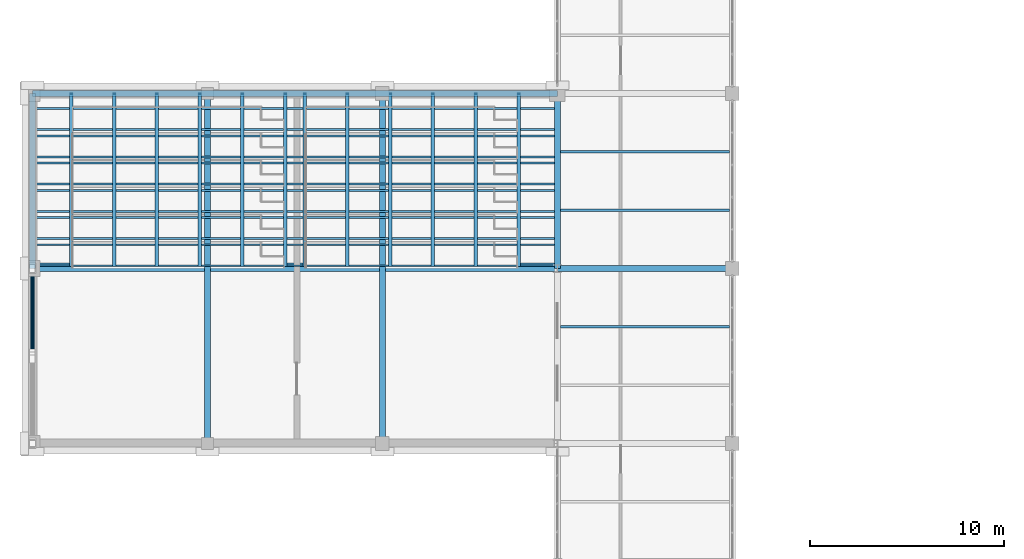
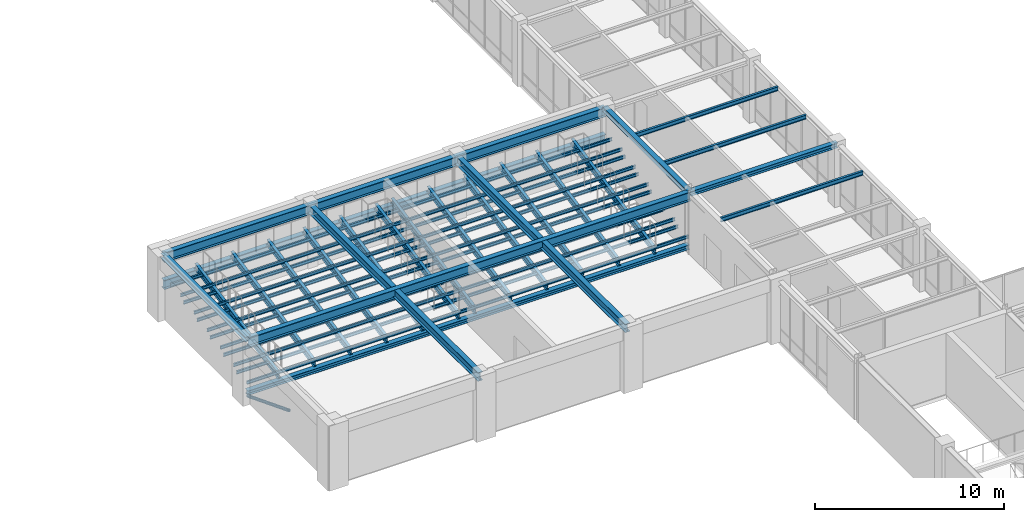
# One storey, part 26 of 130: 36 beams, 1 member.
"""IFC4 building model written with IfcOpenShell, lengths in metres."""

import ifcopenshell
import ifcopenshell.guid

model = None  # the IFC model being written
_history = None  # IfcOwnerHistory: only IFC2X3 demands one
_inside = {}  # id of a spatial element -> (the spatial element, [elements in it])
_under = {}  # id of a project, library or spatial element -> (it, [spatial elements below it])
_declared = {}  # id of a project -> (the project, [libraries it declares])
_typed = {}  # id of a type object -> (the type object, [elements of that type])
_made_of = {}  # id of a material, layer set ... -> (it, [elements and type objects made of it])


def new_model(schema):
    """Start an empty IFC model of exactly this schema.

    Asked for "IFC4X3", IfcOpenShell would pick the latest addendum, in which some entities
    have other attributes; the version numbers below select the first issue.
    IFC2X3 requires an IfcOwnerHistory on every rooted entity: one is made here for all.
    """
    global model, _history
    if schema == "IFC4X3":
        model = ifcopenshell.file(schema_version=(4, 3, 0, 0))
    else:
        model = ifcopenshell.file(schema=schema)
    _inside.clear()
    _under.clear()
    _declared.clear()
    _typed.clear()
    _made_of.clear()
    _history = None
    if model.schema == "IFC2X3":
        org = make("IfcOrganization", Name="unknown")
        user = make(
            "IfcPersonAndOrganization",
            ThePerson=make("IfcPerson", FamilyName="unknown"),
            TheOrganization=org,
        )
        app = make(
            "IfcApplication",
            ApplicationDeveloper=org,
            Version="unknown",
            ApplicationFullName="unknown",
            ApplicationIdentifier="unknown",
        )
        _history = make(
            "IfcOwnerHistory",
            OwningUser=user,
            OwningApplication=app,
            ChangeAction="ADDED",
            CreationDate=0,
        )
    return model


def make(cls, **values):
    """One entity of the class cls with the attributes given. An attribute that is None is left unset."""
    return model.create_entity(
        cls, **{name: value for name, value in values.items() if value is not None}
    )


def rooted(cls, **values):
    """An entity with a GlobalId (a new one), such as an element, a storey or a relation."""
    return make(cls, GlobalId=ifcopenshell.guid.new(), OwnerHistory=_history, **values)


def si_unit(unit_type, name, prefix=None):
    """IfcSIUnit, for example si_unit("LENGTHUNIT", "METRE", prefix="MILLI")."""
    return make("IfcSIUnit", UnitType=unit_type, Prefix=prefix, Name=name)


def assignment(units):
    """IfcUnitAssignment: the units of a project."""
    return None if units is None else make("IfcUnitAssignment", Units=units)


def point(xyz):
    """IfcCartesianPoint."""
    return None if xyz is None else make("IfcCartesianPoint", Coordinates=xyz)


def direction(xyz):
    """IfcDirection."""
    return None if xyz is None else make("IfcDirection", DirectionRatios=xyz)


def frame(location, z_axis=None, x_axis=None):
    """IfcAxis2Placement3D, a coordinate frame: its origin and axes. An axis left out is left unset."""
    return make(
        "IfcAxis2Placement3D",
        Location=point(location),
        Axis=direction(z_axis),
        RefDirection=direction(x_axis),
    )


def frame_2d(location, x_axis=None):
    """IfcAxis2Placement2D, a coordinate frame in the plane: its origin and x axis."""
    return make(
        "IfcAxis2Placement2D", Location=point(location), RefDirection=direction(x_axis)
    )


def origin():
    """The frame at (0, 0, 0) with its axes left unset."""
    return frame((0.0, 0.0, 0.0))


def origin_2d():
    """The frame at (0, 0) in the plane with its x axis left unset."""
    return frame_2d((0.0, 0.0))


def place(relative_to, where):
    """IfcLocalPlacement: puts the frame where relative to a parent placement (None: the world)."""
    return make(
        "IfcLocalPlacement", PlacementRelTo=relative_to, RelativePlacement=where
    )


def context(
    kind, dimensions, precision=None, world=None, true_north=None, identifier=None
):
    """IfcGeometricRepresentationContext, for example the 3D "Model" context."""
    return make(
        "IfcGeometricRepresentationContext",
        ContextIdentifier=identifier,
        ContextType=kind,
        CoordinateSpaceDimension=dimensions,
        Precision=precision,
        WorldCoordinateSystem=world,
        TrueNorth=true_north,
    )


def subcontext(parent, identifier, kind, view, scale=None):
    """IfcGeometricRepresentationSubContext, for example "Body" below "Model"."""
    return make(
        "IfcGeometricRepresentationSubContext",
        ContextIdentifier=identifier,
        ContextType=kind,
        ParentContext=parent,
        TargetScale=scale,
        TargetView=view,
    )


def project(units=None, contexts=None):
    """IfcProject with its units and contexts."""
    return rooted(
        "IfcProject",
        Name="project",
        RepresentationContexts=contexts,
        UnitsInContext=assignment(units),
    )


def spatial(cls, under=None, at=None, **own):
    """A site, building, storey or space (cls), placed at a placement, below another one or the project."""
    s = rooted(cls, ObjectPlacement=at, **own)
    if under is not None:
        _under.setdefault(under.id(), (under, []))[1].append(s)
    return s


def profile(cls, at=None, kind="AREA", **sizes):
    """A parametric profile (cls). Its sizes go by their IFC names, for example OverallWidth=200.0."""
    return make(cls, ProfileType=kind, Position=at, **sizes)


def hollow_circle(**sizes):
    """IfcCircleHollowProfileDef."""
    return profile("IfcCircleHollowProfileDef", **sizes)


def i_section(**sizes):
    """IfcIShapeProfileDef."""
    return profile("IfcIShapeProfileDef", **sizes)


def extrude(swept, where, along, depth):
    """IfcExtrudedAreaSolid: the profile swept, set in the frame where, extruded along a direction by depth."""
    return make(
        "IfcExtrudedAreaSolid",
        SweptArea=swept,
        Position=where,
        ExtrudedDirection=direction(along),
        Depth=depth,
    )


def shape(context_of_items, identifier, shape_type, items):
    """IfcShapeRepresentation: the items that make up one representation, for example the "Body"."""
    return make(
        "IfcShapeRepresentation",
        ContextOfItems=context_of_items,
        RepresentationIdentifier=identifier,
        RepresentationType=shape_type,
        Items=items,
    )


def material(Name=None, Category=None):
    """IfcMaterial."""
    return make("IfcMaterial", Name=Name, Category=Category)


def material_profile(
    of_material, cross_section, Name=None, Category=None, Priority=None
):
    """IfcMaterialProfile: a cross section and its material."""
    return make(
        "IfcMaterialProfile",
        Name=Name,
        Material=of_material,
        Profile=cross_section,
        Priority=Priority,
        Category=Category,
    )


def profile_set(profiles, Name=None, composite=None):
    """IfcMaterialProfileSet."""
    return make(
        "IfcMaterialProfileSet",
        Name=Name,
        MaterialProfiles=profiles,
        CompositeProfile=composite,
    )


def made_of(thing, what):
    """Note that an element or type object is made of a material, layer set ...; save() writes the relation."""
    if what is not None:
        _made_of.setdefault(what.id(), (what, []))[1].append(thing)
    return thing


def type_object(cls, material=None, **own):
    """A type object (cls), such as IfcWallType, which elements share."""
    return made_of(rooted(cls, **own), material)


def element(
    cls,
    number,
    at=None,
    inside=None,
    cuts=None,
    type_object=None,
    material=None,
    context=None,
    identifier="Body",
    shape_type=None,
    held_by="IfcProductDefinitionShape",
    body=None,
    shapes=None,
    **own,
):
    """One element of the class cls, such as IfcWall. Its Tag is "e" and its number.

    at: its placement. inside: the storey or other place that contains it. cuts: it is an
    opening in that element (IfcRelVoidsElement). A single representation is given by context,
    identifier, shape_type and body (its items); several are given by shapes. held_by: the class
    of the entity that holds the representations. save() writes the other relations.
    """
    e = rooted(cls, Tag="e%d" % number, ObjectPlacement=at, **own)
    if body is not None:
        shapes = [shape(context, identifier, shape_type, body)]
    if shapes is not None:
        e.Representation = make(held_by, Representations=shapes)
    if inside is not None:
        _inside.setdefault(inside.id(), (inside, []))[1].append(e)
    if cuts is not None:
        rooted(
            "IfcRelVoidsElement", RelatingBuildingElement=cuts, RelatedOpeningElement=e
        )
    if type_object is not None:
        _typed.setdefault(type_object.id(), (type_object, []))[1].append(e)
    return made_of(e, material)


def aggregate(whole, parts):
    """IfcRelAggregates: a whole, such as a stair, and the parts it consists of."""
    return rooted("IfcRelAggregates", RelatingObject=whole, RelatedObjects=parts)


def save(model, path):
    """Write the relations noted so far, then the file.

    IfcRelAggregates (storeys below a building ...), IfcRelContainedInSpatialStructure (elements
    in a storey), IfcRelDefinesByType, IfcRelAssociatesMaterial and IfcRelDeclares: one each for
    every whole, place, type object, material and project.
    """
    for whole, parts in _under.values():
        aggregate(whole, parts)
    for where, things in _inside.values():
        rooted(
            "IfcRelContainedInSpatialStructure",
            RelatedElements=things,
            RelatingStructure=where,
        )
    for kind, things in _typed.values():
        rooted("IfcRelDefinesByType", RelatedObjects=things, RelatingType=kind)
    for what, things in _made_of.values():
        rooted("IfcRelAssociatesMaterial", RelatedObjects=things, RelatingMaterial=what)
    for by, libraries in _declared.values():
        rooted("IfcRelDeclares", RelatingContext=by, RelatedDefinitions=libraries)
    model.write(path)


model = new_model("IFC4")

# Units and contexts
model_context = context("Model", 3, precision=1e-05, world=origin(), true_north=direction((0.0, 1.0)))
body_context = subcontext(model_context, "Body", "Model", "MODEL_VIEW")
ifc_project = project(units=[si_unit("LENGTHUNIT", "METRE"), si_unit("AREAUNIT", "SQUARE_METRE"), si_unit("VOLUMEUNIT", "CUBIC_METRE"), si_unit("PLANEANGLEUNIT", "RADIAN"), si_unit("MASSUNIT", "GRAM", prefix="KILO")], contexts=[model_context])

# Site, building, storey
site_placement = place(None, origin())
site = spatial("IfcSite", under=ifc_project, at=site_placement, CompositionType="ELEMENT")
building_placement = place(site_placement, origin())
building = spatial("IfcBuilding", under=site, at=building_placement, Name="Lykobir Media Centre", CompositionType="ELEMENT")
storey_placement = place(building_placement, frame((0.0, 0.0, 19.199951171875)))
storey = spatial("IfcBuildingStorey", under=building, at=storey_placement, Name="L04", CompositionType="ELEMENT", Elevation=19.199951171875)

# Beams
ifc_material = material(Name="Steel S355", Category="steel")
ifc_material_profile_1 = material_profile(ifc_material, i_section(OverallWidth=0.300048828125, OverallDepth=0.2900390625, WebThickness=0.008544921875, FlangeThickness=0.013916015625, at=origin_2d()), Name="HEA 300")
ifc_profile_set_1 = profile_set([ifc_material_profile_1], Name="Steel S355")
beam_type_1 = type_object("IfcBeamType", Name="BM-HEA300", PredefinedType="BEAM", material=ifc_profile_set_1)
beam_1_placement = place(storey_placement, frame((0.0, 36.139892578125, 0.2880859375), z_axis=(1.0, 0.0, 0.0), x_axis=(0.0, 1.0, 0.0)))
element("IfcBeam", 1, at=beam_1_placement, inside=storey, type_object=beam_type_1, Name="Beam BM-L04-0000-0361-0270-0361-1949", PredefinedType="BEAM", context=body_context, shape_type="SweptSolid", body=[
    extrude(i_section(OverallWidth=0.300048828125, OverallDepth=0.2900390625, WebThickness=0.008544921875, FlangeThickness=0.013916015625, at=origin_2d()), origin(), (0.0, 0.0, 1.0), 27.0),
])
ifc_material_profile_2 = material_profile(ifc_material, i_section(OverallWidth=0.300048828125, OverallDepth=0.31005859375, WebThickness=0.009033203125, FlangeThickness=0.015380859375, at=origin_2d()), Name="HEA 320")
ifc_profile_set_2 = profile_set([ifc_material_profile_2], Name="Steel S355")
beam_type_2 = type_object("IfcBeamType", Name="BM-HEA320", PredefinedType="BEAM", material=ifc_profile_set_2)
beam_2_placement = place(storey_placement, frame((27.0, 36.0, 3.804931640625), z_axis=(1.0, 0.0, 0.0), x_axis=(0.0, 1.0, 0.0)))
element("IfcBeam", 2, at=beam_2_placement, inside=storey, type_object=beam_type_2, Name="Beam BM-L04-0270-0360-0360-0360-2300", PredefinedType="BEAM", context=body_context, shape_type="SweptSolid", body=[
    extrude(i_section(OverallWidth=0.300048828125, OverallDepth=0.31005859375, WebThickness=0.009033203125, FlangeThickness=0.015380859375, at=origin_2d()), origin(), (0.0, 0.0, 1.0), 9.0),
])
ifc_material_profile_3 = material_profile(ifc_material, i_section(OverallWidth=0.300048828125, OverallDepth=0.550048828125, WebThickness=0.014892578125, FlangeThickness=0.029052734375, at=origin_2d()), Name="HEB 550")
ifc_profile_set_3 = profile_set([ifc_material_profile_3], Name="Steel S355")
beam_type_3 = type_object("IfcBeamType", Name="BM-HEB550", PredefinedType="BEAM", material=ifc_profile_set_3)
for number, where, z_axis, x_axis, name in (
    (3, (9.0, 27.0, 3.675048828125), (0.0, 1.0, 0.0), (-1.0, 0.0, 0.0), "Beam BM-L04-0090-0270-0090-0450-2288"),
    (4, (18.0, 27.0, 3.675048828125), (0.0, 1.0, 0.0), (-1.0, 0.0, 0.0), "Beam BM-L04-0180-0270-0180-0450-2288"),
):
    element("IfcBeam", number, at=place(storey_placement, frame(where, z_axis=z_axis, x_axis=x_axis)), inside=storey, type_object=beam_type_3, Name=name, PredefinedType="BEAM", context=body_context, shape_type="SweptSolid", body=[
        extrude(i_section(OverallWidth=0.300048828125, OverallDepth=0.550048828125, WebThickness=0.014892578125, FlangeThickness=0.029052734375, at=origin_2d()), origin(), (0.0, 0.0, 1.0), 18.0),
    ])
ifc_material_profile_4 = material_profile(ifc_material, i_section(OverallWidth=0.300048828125, OverallDepth=0.60009765625, WebThickness=0.015380859375, FlangeThickness=0.030029296875, at=origin_2d()), Name="HEB 600")
ifc_profile_set_4 = profile_set([ifc_material_profile_4], Name="Steel S355")
beam_type_4 = type_object("IfcBeamType", Name="BM-HEB600", PredefinedType="BEAM", material=ifc_profile_set_4)
for number, where, z_axis, x_axis, name in (
    (5, (0.0, 36.0, 3.650146484375), (1.0, 0.0, 0.0), (0.0, 1.0, 0.0), "Beam BM-L04-0000-0360-0270-0360-2285"),
    (6, (0.0, 45.0, 1.905029296875), (1.0, 0.0, 0.0), (0.0, 1.0, 0.0), "Beam BM-L04-0000-0450-0270-0450-2110"),
):
    element("IfcBeam", number, at=place(storey_placement, frame(where, z_axis=z_axis, x_axis=x_axis)), inside=storey, type_object=beam_type_4, Name=name, PredefinedType="BEAM", context=body_context, shape_type="SweptSolid", body=[
        extrude(i_section(OverallWidth=0.300048828125, OverallDepth=0.60009765625, WebThickness=0.015380859375, FlangeThickness=0.030029296875, at=origin_2d()), origin(), (0.0, 0.0, 1.0), 27.0),
    ])
ifc_material_profile_5 = material_profile(ifc_material, i_section(OverallWidth=0.300048828125, OverallDepth=0.60009765625, WebThickness=0.015380859375, FlangeThickness=0.030029296875, at=origin_2d()), Name="HEB 600")
ifc_profile_set_5 = profile_set([ifc_material_profile_5], Name="Steel S355")
beam_type_5 = type_object("IfcBeamType", Name="BM-HEB600-E", PredefinedType="BEAM", material=ifc_profile_set_5)
beam_3_placement = place(storey_placement, frame((0.0, 45.0, 3.650146484375), z_axis=(1.0, 0.0, 0.0), x_axis=(0.0, 1.0, 0.0)))
element("IfcBeam", 7, at=beam_3_placement, inside=storey, type_object=beam_type_5, Name="Beam BM-L04-0000-0450-0270-0450-2285", PredefinedType="BEAM", context=body_context, shape_type="SweptSolid", body=[
    extrude(i_section(OverallWidth=0.300048828125, OverallDepth=0.60009765625, WebThickness=0.015380859375, FlangeThickness=0.030029296875, at=origin_2d()), origin(), (0.0, 0.0, 1.0), 27.0),
])

# Member
ifc_material_profile_6 = material_profile(ifc_material, hollow_circle(Radius=0.096923828125, WallThickness=0.010009765625, at=origin_2d()), Name="CHS 193.7x10.0")
ifc_profile_set_6 = profile_set([ifc_material_profile_6], Name="Steel S355")
member_type = type_object("IfcMemberType", Name="BR-CHS194-E", PredefinedType="BRACE", material=ifc_profile_set_6)
member_placement = place(storey_placement, frame((0.0, 36.0, 0.1201171875), z_axis=(0.0, -0.931310611003, 0.364225954365), x_axis=(1.0, 0.0, 0.0)))
element("IfcMember", 8, at=member_placement, inside=storey, type_object=member_type, Name="Diagonal brace MEM2-L04-0000-0360-0193-0000-0316-0540", PredefinedType="BRACE", context=body_context, shape_type="SweptSolid", body=[
    extrude(hollow_circle(Radius=0.096923828125, WallThickness=0.010009765625, at=origin_2d()), origin(), (0.0, 0.0, 1.0), 4.671875),
])

# Beams
ifc_material_profile_7 = material_profile(ifc_material, i_section(OverallWidth=0.135009765625, OverallDepth=0.27001953125, WebThickness=0.006591796875, FlangeThickness=0.01025390625, at=origin_2d()), Name="IPE 270")
ifc_profile_set_7 = profile_set([ifc_material_profile_7], Name="Steel S355")
beam_type_6 = type_object("IfcBeamType", Name="JS-IPE270", PredefinedType="JOIST", material=ifc_profile_set_7)
for number, where, z_axis, x_axis, name in (
    (9, (27.14990234375, 33.0, 3.824951171875), (1.0, 0.0, 0.0), (0.0, 1.0, 0.0), "Beam BM-L04-0272-0330-0358-0330-2302"),
    (10, (27.14990234375, 39.0, 3.824951171875), (1.0, 0.0, 0.0), (0.0, 1.0, 0.0), "Beam BM-L04-0272-0390-0358-0390-2302"),
    (11, (27.14990234375, 42.0, 3.824951171875), (1.0, 0.0, 0.0), (0.0, 1.0, 0.0), "Beam BM-L04-0272-0420-0358-0420-2302"),
):
    element("IfcBeam", number, at=place(storey_placement, frame(where, z_axis=z_axis, x_axis=x_axis)), inside=storey, type_object=beam_type_6, Name=name, PredefinedType="JOIST", context=body_context, shape_type="SweptSolid", body=[
        extrude(i_section(OverallWidth=0.135009765625, OverallDepth=0.27001953125, WebThickness=0.006591796875, FlangeThickness=0.01025390625, at=origin_2d()), origin(), (0.0, 0.0, 1.0), 8.7001953125),
    ])
ifc_material_profile_8 = material_profile(ifc_material, i_section(OverallWidth=0.179931640625, OverallDepth=0.39990234375, WebThickness=0.008544921875, FlangeThickness=0.013427734375, at=origin_2d()), Name="IPE 400")
ifc_profile_set_8 = profile_set([ifc_material_profile_8], Name="Steel S355")
beam_type_7 = type_object("IfcBeamType", Name="RK-IPE400", PredefinedType="USERDEFINED", material=ifc_profile_set_8)
for number, where, z_axis, x_axis, name in (
    (12, (2.0, 36.139892578125, 0.6279296875), (0.0, 0.980576518574, 0.196136919576), (-1.0, 0.0, 0.0), "Beam BM-L04-0020-0361-0020-0450-1983"),
    (13, (4.199951171875, 36.139892578125, 0.6279296875), (0.0, 0.980576518574, 0.196136919576), (-1.0, 0.0, 0.0), "Beam BM-L04-0042-0361-0042-0450-1983"),
    (14, (6.39990234375, 36.139892578125, 0.6279296875), (0.0, 0.980576518574, 0.196136919576), (-1.0, 0.0, 0.0), "Beam BM-L04-0064-0361-0064-0450-1983"),
    (15, (8.60009765625, 36.139892578125, 0.6279296875), (0.0, 0.980576518574, 0.196136919576), (-1.0, 0.0, 0.0), "Beam BM-L04-0086-0361-0086-0450-1983"),
    (16, (10.800048828125, 36.139892578125, 0.6279296875), (0.0, 0.980576518574, 0.196136919576), (-1.0, 0.0, 0.0), "Beam BM-L04-0108-0361-0108-0450-1983"),
    (17, (13.0, 36.139892578125, 0.6279296875), (0.0, 0.980576518574, 0.196136919576), (-1.0, 0.0, 0.0), "Beam BM-L04-0130-0361-0130-0450-1983"),
    (18, (14.0, 36.139892578125, 0.6279296875), (0.0, 0.980576518574, 0.196136919576), (-1.0, 0.0, 0.0), "Beam BM-L04-0140-0361-0140-0450-1983"),
    (19, (16.199951171875, 36.139892578125, 0.6279296875), (0.0, 0.980576518574, 0.196136919576), (-1.0, 0.0, 0.0), "Beam BM-L04-0162-0361-0162-0450-1983"),
    (20, (18.39990234375, 36.139892578125, 0.6279296875), (0.0, 0.980576518574, 0.196136919576), (-1.0, 0.0, 0.0), "Beam BM-L04-0184-0361-0184-0450-1983"),
    (21, (20.60009765625, 36.139892578125, 0.6279296875), (0.0, 0.980576518574, 0.196136919576), (-1.0, 0.0, 0.0), "Beam BM-L04-0206-0361-0206-0450-1983"),
    (22, (22.800048828125, 36.139892578125, 0.6279296875), (0.0, 0.980576518574, 0.196136919576), (-1.0, 0.0, 0.0), "Beam BM-L04-0228-0361-0228-0450-1983"),
    (23, (25.0, 36.139892578125, 0.6279296875), (0.0, 0.980576518574, 0.196136919576), (-1.0, 0.0, 0.0), "Beam BM-L04-0250-0361-0250-0450-1983"),
):
    element("IfcBeam", number, at=place(storey_placement, frame(where, z_axis=z_axis, x_axis=x_axis)), inside=storey, type_object=beam_type_7, Name=name, ObjectType="RAKER", PredefinedType="USERDEFINED", context=body_context, shape_type="SweptSolid", body=[
        extrude(i_section(OverallWidth=0.179931640625, OverallDepth=0.39990234375, WebThickness=0.008544921875, FlangeThickness=0.013427734375, at=origin_2d()), origin(), (0.0, 0.0, 1.0), 9.03564453125),
    ])
ifc_material_profile_9 = material_profile(ifc_material, i_section(OverallWidth=0.300048828125, OverallDepth=0.31005859375, WebThickness=0.009033203125, FlangeThickness=0.015380859375, at=origin_2d()), Name="HEA 320")
ifc_profile_set_9 = profile_set([ifc_material_profile_9], Name="Steel S355")
beam_type_8 = type_object("IfcBeamType", Name="SP-HEA320", PredefinedType="SPANDREL", material=ifc_profile_set_9)
beam_4_placement = place(storey_placement, frame((27.0, 36.0, 3.804931640625), z_axis=(0.0, 1.0, 0.0), x_axis=(-1.0, 0.0, 0.0)))
element("IfcBeam", 24, at=beam_4_placement, inside=storey, type_object=beam_type_8, Name="Beam BM-L04-0270-0360-0270-0450-2300", PredefinedType="SPANDREL", context=body_context, shape_type="SweptSolid", body=[
    extrude(i_section(OverallWidth=0.300048828125, OverallDepth=0.31005859375, WebThickness=0.009033203125, FlangeThickness=0.015380859375, at=origin_2d()), origin(), (0.0, 0.0, 1.0), 9.0),
])
ifc_material_profile_10 = material_profile(ifc_material, i_section(OverallWidth=0.300048828125, OverallDepth=0.31005859375, WebThickness=0.009033203125, FlangeThickness=0.015380859375, at=origin_2d()), Name="HEA 320")
ifc_profile_set_10 = profile_set([ifc_material_profile_10], Name="Steel S355")
beam_type_9 = type_object("IfcBeamType", Name="SP-HEA320-E", PredefinedType="SPANDREL", material=ifc_profile_set_10)
beam_5_placement = place(storey_placement, frame((0.0, 36.0, 3.795166015625), z_axis=(0.0, 1.0, 0.0), x_axis=(-1.0, 0.0, 0.0)))
element("IfcBeam", 25, at=beam_5_placement, inside=storey, type_object=beam_type_9, Name="Beam BM-L04-0000-0360-0000-0450-2300", PredefinedType="SPANDREL", context=body_context, shape_type="SweptSolid", body=[
    extrude(i_section(OverallWidth=0.300048828125, OverallDepth=0.31005859375, WebThickness=0.009033203125, FlangeThickness=0.015380859375, at=origin_2d()), origin(), (0.0, 0.0, 1.0), 9.0),
])
ifc_material_profile_11 = material_profile(ifc_material, i_section(OverallWidth=0.10009765625, OverallDepth=0.199951171875, WebThickness=0.005615234375, FlangeThickness=0.008544921875, at=origin_2d()), Name="IPE 200")
ifc_profile_set_11 = profile_set([ifc_material_profile_11], Name="Steel S355")
beam_type_10 = type_object("IfcBeamType", Name="TP-IPE200", PredefinedType="JOIST", material=ifc_profile_set_11)
for number, where, z_axis, x_axis, name in (
    (26, (0.0, 36.139892578125, 0.89501953125), (1.0, 0.0, 0.0), (0.0, 1.0, 0.0), "Beam BM-L04-0000-0361-0270-0361-2010"),
    (27, (0.0, 37.219970703125, 0.89501953125), (1.0, 0.0, 0.0), (0.0, 1.0, 0.0), "Beam BM-L04-0000-0372-0270-0372-2010"),
    (28, (0.0, 37.5400390625, 1.175048828125), (1.0, 0.0, 0.0), (0.0, 1.0, 0.0), "Beam BM-L04-0000-0375-0270-0375-2038"),
    (29, (0.0, 38.6201171875, 1.175048828125), (1.0, 0.0, 0.0), (0.0, 1.0, 0.0), "Beam BM-L04-0000-0386-0270-0386-2038"),
    (30, (0.0, 38.93994140625, 1.455078125), (1.0, 0.0, 0.0), (0.0, 1.0, 0.0), "Beam BM-L04-0000-0389-0270-0389-2066"),
    (31, (0.0, 40.02001953125, 1.455078125), (1.0, 0.0, 0.0), (0.0, 1.0, 0.0), "Beam BM-L04-0000-0400-0270-0400-2066"),
    (32, (0.0, 40.340087890625, 1.735107421875), (1.0, 0.0, 0.0), (0.0, 1.0, 0.0), "Beam BM-L04-0000-0403-0270-0403-2094"),
    (33, (0.0, 41.419921875, 1.735107421875), (1.0, 0.0, 0.0), (0.0, 1.0, 0.0), "Beam BM-L04-0000-0414-0270-0414-2094"),
    (34, (0.0, 41.739990234375, 2.01513671875), (1.0, 0.0, 0.0), (0.0, 1.0, 0.0), "Beam BM-L04-0000-0417-0270-0417-2122"),
    (35, (0.0, 42.820068359375, 2.01513671875), (1.0, 0.0, 0.0), (0.0, 1.0, 0.0), "Beam BM-L04-0000-0428-0270-0428-2122"),
    (36, (0.0, 43.139892578125, 2.295166015625), (1.0, 0.0, 0.0), (0.0, 1.0, 0.0), "Beam BM-L04-0000-0431-0270-0431-2150"),
    (37, (0.0, 44.219970703125, 2.295166015625), (1.0, 0.0, 0.0), (0.0, 1.0, 0.0), "Beam BM-L04-0000-0442-0270-0442-2150"),
):
    element("IfcBeam", number, at=place(storey_placement, frame(where, z_axis=z_axis, x_axis=x_axis)), inside=storey, type_object=beam_type_10, Name=name, PredefinedType="JOIST", context=body_context, shape_type="SweptSolid", body=[
        extrude(i_section(OverallWidth=0.10009765625, OverallDepth=0.199951171875, WebThickness=0.005615234375, FlangeThickness=0.008544921875, at=origin_2d()), origin(), (0.0, 0.0, 1.0), 27.0),
    ])

save(model, "model.ifc")
